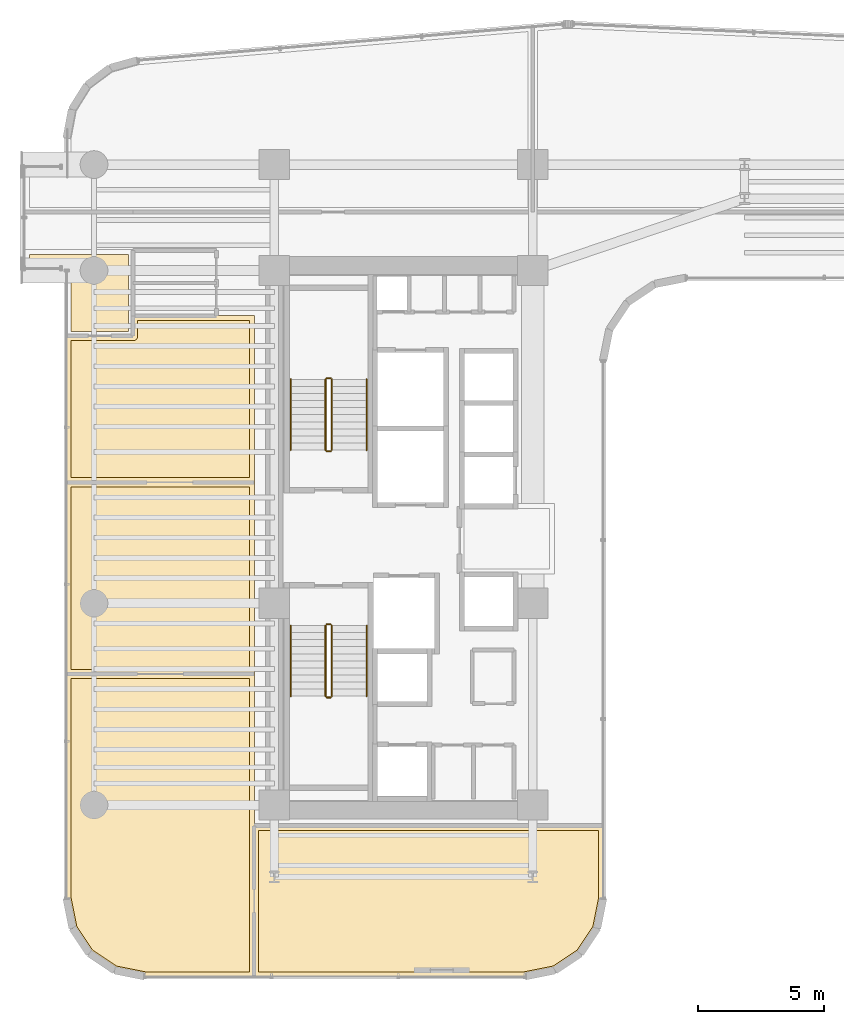
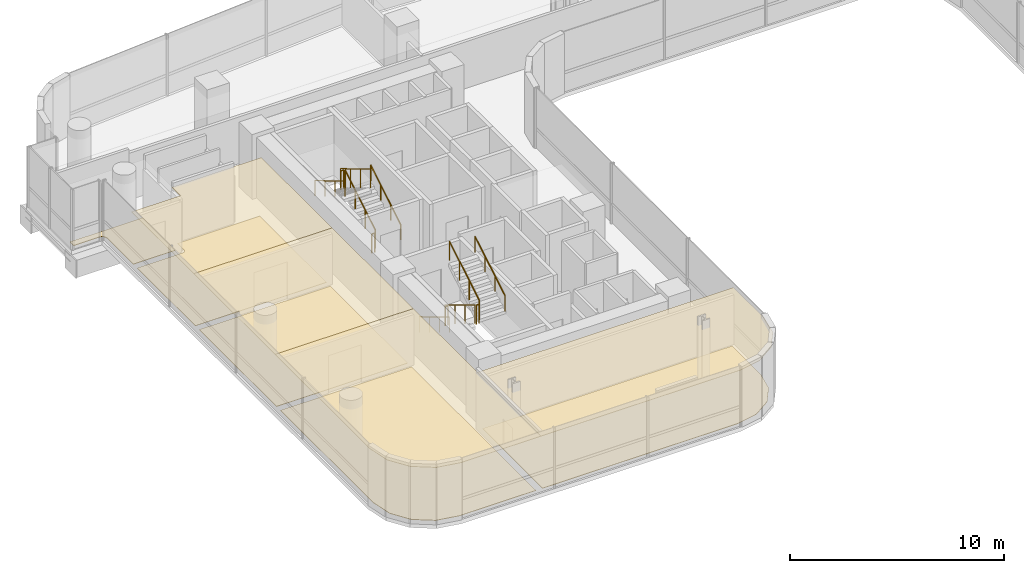
# One storey, part 32 of 35: 12 railings, 9 coverings.
"""IFC4 building model written with IfcOpenShell, lengths in metres."""

from ifc_helpers import new_model, si_unit, direction, frame, origin, origin_2d, place, context, subcontext, project, spatial, polyline, circle, outline, extrude, material, layer, layer_set, type_object, element, save


model = new_model("IFC4")

# Units and contexts
model_context = context("Model", 3, precision=1e-05, world=origin(), true_north=direction((0.0, 1.0)))
body_context = subcontext(model_context, "Body", "Model", "MODEL_VIEW")
ifc_project = project(units=[si_unit("LENGTHUNIT", "METRE"), si_unit("AREAUNIT", "SQUARE_METRE"), si_unit("VOLUMEUNIT", "CUBIC_METRE"), si_unit("PLANEANGLEUNIT", "RADIAN"), si_unit("MASSUNIT", "GRAM", prefix="KILO")], contexts=[model_context])

# Site, building, storey
site_placement = place(None, origin())
site = spatial("IfcSite", under=ifc_project, at=site_placement, CompositionType="ELEMENT")
building_placement = place(site_placement, origin())
building = spatial("IfcBuilding", under=site, at=building_placement, Name="Valdorenza Pilgrim Sanctuary Tower", CompositionType="ELEMENT")
storey_placement = place(building_placement, frame((0.0, 0.0, 124.199951171875)))
storey = spatial("IfcBuildingStorey", under=building, at=storey_placement, Name="L31", CompositionType="ELEMENT", Elevation=124.199951171875)

# Coverings
ifc_material_1 = material(Name="Micro-perforated acoustic mineral ceiling tile", Category="gypsum")
ifc_layer_1 = layer(ifc_material_1, 0.02490234375, Name="Micro-perforated acoustic mineral ceiling tile")
ifc_layer_set_1 = layer_set([ifc_layer_1], Name="Micro-perforated acoustic mineral ceiling tile")
covering_type_1 = type_object("IfcCoveringType", Name="COV-CLG-ACU", PredefinedType="CEILING", material=ifc_layer_set_1)
covering_1_placement = place(storey_placement, frame((0.0, 0.0, 3.16015625)))
element("IfcCovering", 1, at=covering_1_placement, inside=storey, type_object=covering_type_1, Name="L31 Sacred Archive Reading Library L31-S1 Acoustic Ceiling", PredefinedType="CEILING", context=body_context, shape_type="SweptSolid", body=[
    extrude(outline(polyline([(-23.43505859375, -17.389892578125), (-23.43505859375, -17.3916015625), (-23.435302734375, -17.392822265625), (-23.435546875, -17.394287109375), (-23.43603515625, -17.395751953125), (-23.436767578125, -17.397216796875), (-23.4375, -17.398193359375), (-23.4384765625, -17.3994140625), (-23.439453125, -17.400634765625), (-23.4404296875, -17.401611328125), (-23.441650390625, -17.402587890625), (-23.44287109375, -17.4033203125), (-23.4443359375, -17.40380859375), (-23.445556640625, -17.404296875), (-23.447021484375, -17.40478515625), (-23.448486328125, -17.40478515625), (-23.449951171875, -17.405029296875), (-27.789306640625, -17.405029296875), (-27.79052734375, -17.40478515625), (-27.7919921875, -17.40478515625), (-28.984619140625, -17.16748046875), (-28.986083984375, -17.1669921875), (-28.9873046875, -17.16650390625), (-28.98876953125, -17.166015625), (-28.989990234375, -17.165283203125), (-29.99169921875, -16.495849609375), (-29.992919921875, -16.4951171875), (-29.993896484375, -16.493896484375), (-29.9951171875, -16.492919921875), (-29.995849609375, -16.49169921875), (-30.665283203125, -15.489990234375), (-30.666015625, -15.48876953125), (-30.66650390625, -15.4873046875), (-30.6669921875, -15.486083984375), (-30.66748046875, -15.484619140625), (-30.90478515625, -14.2919921875), (-30.90478515625, -14.29052734375), (-30.905029296875, -14.289306640625), (-30.905029296875, -5.39990234375), (-30.90478515625, -5.3984375), (-30.90478515625, -5.397216796875), (-30.904296875, -5.3955078125), (-30.90380859375, -5.394287109375), (-30.9033203125, -5.392822265625), (-30.902587890625, -5.3916015625), (-30.901611328125, -5.390380859375), (-30.900634765625, -5.389404296875), (-30.8994140625, -5.388427734375), (-30.898193359375, -5.387451171875), (-30.897216796875, -5.38671875), (-30.895751953125, -5.385986328125), (-30.894287109375, -5.385498046875), (-30.892822265625, -5.38525390625), (-30.8916015625, -5.385009765625), (-30.889892578125, -5.385009765625), (-23.449951171875, -5.385009765625), (-23.448486328125, -5.385009765625), (-23.447021484375, -5.38525390625), (-23.445556640625, -5.385498046875), (-23.4443359375, -5.385986328125), (-23.44287109375, -5.38671875), (-23.441650390625, -5.387451171875), (-23.4404296875, -5.388427734375), (-23.439453125, -5.389404296875), (-23.4384765625, -5.390380859375), (-23.4375, -5.3916015625), (-23.436767578125, -5.392822265625), (-23.43603515625, -5.394287109375), (-23.435546875, -5.3955078125), (-23.435302734375, -5.397216796875), (-23.43505859375, -5.3984375), (-23.43505859375, -5.39990234375), (-23.43505859375, -17.389892578125)])), origin(), (0.0, 0.0, 1.0), 0.02490234375),
])
covering_2_placement = place(storey_placement, frame((0.0, 0.0, 3.16015625)))
element("IfcCovering", 2, at=covering_2_placement, inside=storey, type_object=covering_type_1, Name="L31 Sanctuary Tea Lounge L31 Acoustic Ceiling", PredefinedType="CEILING", context=body_context, shape_type="SweptSolid", body=[
    extrude(outline(polyline([(-23.43505859375, -5.39794921875), (-23.43505859375, -5.3994140625), (-23.435302734375, -5.40087890625), (-23.435546875, -5.40234375), (-23.43603515625, -5.40380859375), (-23.436767578125, -5.405029296875), (-23.4375, -5.40625), (-23.4384765625, -5.407470703125), (-23.439453125, -5.40869140625), (-23.4404296875, -5.40966796875), (-23.441650390625, -5.410400390625), (-23.44287109375, -5.4111328125), (-23.4443359375, -5.411865234375), (-23.445556640625, -5.412353515625), (-23.447021484375, -5.41259765625), (-23.448486328125, -5.412841796875), (-23.449951171875, -5.4130859375), (-30.889892578125, -5.4130859375), (-30.8916015625, -5.412841796875), (-30.892822265625, -5.41259765625), (-30.894287109375, -5.412353515625), (-30.895751953125, -5.411865234375), (-30.897216796875, -5.4111328125), (-30.898193359375, -5.410400390625), (-30.8994140625, -5.40966796875), (-30.900634765625, -5.40869140625), (-30.901611328125, -5.407470703125), (-30.902587890625, -5.40625), (-30.9033203125, -5.405029296875), (-30.90380859375, -5.40380859375), (-30.904296875, -5.40234375), (-30.90478515625, -5.40087890625), (-30.90478515625, -5.3994140625), (-30.905029296875, -5.39794921875), (-30.905029296875, 2.199951171875), (-30.90478515625, 2.201416015625), (-30.90478515625, 2.202880859375), (-30.904296875, 2.204345703125), (-30.90380859375, 2.205810546875), (-30.9033203125, 2.20703125), (-30.902587890625, 2.208251953125), (-30.901611328125, 2.20947265625), (-30.900634765625, 2.210693359375), (-30.8994140625, 2.211669921875), (-30.898193359375, 2.21240234375), (-30.897216796875, 2.213134765625), (-30.895751953125, 2.2138671875), (-30.894287109375, 2.21435546875), (-30.892822265625, 2.214599609375), (-30.8916015625, 2.21484375), (-30.889892578125, 2.215087890625), (-23.449951171875, 2.215087890625), (-23.448486328125, 2.21484375), (-23.447021484375, 2.214599609375), (-23.445556640625, 2.21435546875), (-23.4443359375, 2.2138671875), (-23.44287109375, 2.213134765625), (-23.441650390625, 2.21240234375), (-23.4404296875, 2.211669921875), (-23.439453125, 2.210693359375), (-23.4384765625, 2.20947265625), (-23.4375, 2.208251953125), (-23.436767578125, 2.20703125), (-23.43603515625, 2.205810546875), (-23.435546875, 2.204345703125), (-23.435302734375, 2.202880859375), (-23.43505859375, 2.201416015625), (-23.43505859375, 2.199951171875), (-23.43505859375, -5.39794921875)])), origin(), (0.0, 0.0, 1.0), 0.02490234375),
])
covering_3_placement = place(storey_placement, frame((0.0, 0.0, 3.16015625)))
element("IfcCovering", 3, at=covering_3_placement, inside=storey, type_object=covering_type_1, Name="L31 Contemplative Movement Studio L31 Acoustic Ceiling", PredefinedType="CEILING", context=body_context, shape_type="SweptSolid", body=[
    extrude(outline(polyline([(-28.262939453125, 8.012939453125), (-28.262939453125, 8.798095703125), (-28.262939453125, 8.799560546875), (-28.2626953125, 8.80078125), (-28.262451171875, 8.802490234375), (-28.261962890625, 8.8037109375), (-28.26123046875, 8.80517578125), (-28.260498046875, 8.806396484375), (-28.259521484375, 8.8076171875), (-28.258544921875, 8.80859375), (-28.257568359375, 8.8095703125), (-28.25634765625, 8.810546875), (-28.255126953125, 8.811279296875), (-28.253662109375, 8.81201171875), (-28.25244140625, 8.8125), (-28.2509765625, 8.812744140625), (-28.24951171875, 8.81298828125), (-28.248046875, 8.81298828125), (-24.955322265625, 8.81298828125), (-24.954833984375, 8.813232421875), (-24.95361328125, 8.81396484375), (-24.9521484375, 8.814453125), (-24.95068359375, 8.814697265625), (-24.949462890625, 8.81494140625), (-24.947998046875, 8.81494140625), (-23.449951171875, 8.81494140625), (-23.448486328125, 8.81494140625), (-23.447021484375, 8.814697265625), (-23.445556640625, 8.814453125), (-23.4443359375, 8.81396484375), (-23.44287109375, 8.813232421875), (-23.441650390625, 8.8125), (-23.4404296875, 8.8115234375), (-23.439453125, 8.810546875), (-23.4384765625, 8.8095703125), (-23.4375, 8.808349609375), (-23.436767578125, 8.80712890625), (-23.43603515625, 8.8056640625), (-23.435546875, 8.804443359375), (-23.435302734375, 8.802978515625), (-23.43505859375, 8.801513671875), (-23.43505859375, 8.800048828125), (-23.43505859375, 2.201904296875), (-23.43505859375, 2.200439453125), (-23.435302734375, 2.19921875), (-23.435546875, 2.197509765625), (-23.43603515625, 2.1962890625), (-23.436767578125, 2.19482421875), (-23.4375, 2.193603515625), (-23.4384765625, 2.1923828125), (-23.439453125, 2.19140625), (-23.4404296875, 2.1904296875), (-23.441650390625, 2.189453125), (-23.44287109375, 2.188720703125), (-23.4443359375, 2.18798828125), (-23.445556640625, 2.1875), (-23.447021484375, 2.187255859375), (-23.448486328125, 2.18701171875), (-23.449951171875, 2.18701171875), (-30.889892578125, 2.18701171875), (-30.8916015625, 2.18701171875), (-30.892822265625, 2.187255859375), (-30.894287109375, 2.1875), (-30.895751953125, 2.18798828125), (-30.897216796875, 2.188720703125), (-30.898193359375, 2.189453125), (-30.8994140625, 2.1904296875), (-30.900634765625, 2.19140625), (-30.901611328125, 2.1923828125), (-30.902587890625, 2.193603515625), (-30.9033203125, 2.19482421875), (-30.90380859375, 2.1962890625), (-30.904296875, 2.197509765625), (-30.90478515625, 2.19921875), (-30.90478515625, 2.200439453125), (-30.905029296875, 2.201904296875), (-30.905029296875, 7.998046875), (-30.90478515625, 7.99951171875), (-30.90478515625, 8.0009765625), (-30.904296875, 8.00244140625), (-30.90380859375, 8.003662109375), (-30.9033203125, 8.005126953125), (-30.902587890625, 8.00634765625), (-30.901611328125, 8.007568359375), (-30.900634765625, 8.008544921875), (-30.8994140625, 8.009521484375), (-30.898193359375, 8.010498046875), (-30.897216796875, 8.01123046875), (-30.895751953125, 8.011962890625), (-30.894287109375, 8.012451171875), (-30.892822265625, 8.0126953125), (-30.8916015625, 8.012939453125), (-30.889892578125, 8.012939453125), (-28.262939453125, 8.012939453125)])), origin(), (0.0, 0.0, 1.0), 0.02490234375),
])
covering_4_placement = place(storey_placement, frame((0.0, 0.0, 3.16015625)))
element("IfcCovering", 4, at=covering_4_placement, inside=storey, type_object=covering_type_1, Name="L31 Sacred Archive Reading Library L31-S Acoustic Ceiling", PredefinedType="CEILING", context=body_context, shape_type="SweptSolid", body=[
    extrude(outline(polyline([(-9.610107421875, -11.405029296875), (-9.6083984375, -11.405029296875), (-9.607177734375, -11.4052734375), (-9.605712890625, -11.405517578125), (-9.604248046875, -11.406005859375), (-9.602783203125, -11.40673828125), (-9.601806640625, -11.407470703125), (-9.6005859375, -11.408447265625), (-9.599365234375, -11.409423828125), (-9.598388671875, -11.410400390625), (-9.597412109375, -11.41162109375), (-9.5966796875, -11.412841796875), (-9.59619140625, -11.414306640625), (-9.595703125, -11.41552734375), (-9.59521484375, -11.4169921875), (-9.59521484375, -11.41845703125), (-9.594970703125, -11.419921875), (-9.594970703125, -14.289306640625), (-9.59521484375, -14.29052734375), (-9.59521484375, -14.2919921875), (-9.83251953125, -15.484619140625), (-9.8330078125, -15.486083984375), (-9.83349609375, -15.4873046875), (-9.833984375, -15.48876953125), (-9.834716796875, -15.489990234375), (-10.504150390625, -16.49169921875), (-10.5048828125, -16.492919921875), (-10.506103515625, -16.493896484375), (-10.507080078125, -16.4951171875), (-10.50830078125, -16.495849609375), (-11.510009765625, -17.165283203125), (-11.51123046875, -17.166015625), (-11.5126953125, -17.16650390625), (-11.513916015625, -17.1669921875), (-11.515380859375, -17.16748046875), (-12.7080078125, -17.40478515625), (-12.70947265625, -17.40478515625), (-12.710693359375, -17.405029296875), (-23.447998046875, -17.405029296875), (-23.449462890625, -17.40478515625), (-23.450927734375, -17.40478515625), (-23.452392578125, -17.404296875), (-23.45361328125, -17.40380859375), (-23.455078125, -17.4033203125), (-23.456298828125, -17.402587890625), (-23.45751953125, -17.401611328125), (-23.45849609375, -17.400634765625), (-23.459716796875, -17.3994140625), (-23.46044921875, -17.398193359375), (-23.461181640625, -17.397216796875), (-23.4619140625, -17.395751953125), (-23.46240234375, -17.394287109375), (-23.462646484375, -17.392822265625), (-23.462890625, -17.3916015625), (-23.462890625, -17.389892578125), (-23.462890625, -11.419921875), (-23.462890625, -11.41845703125), (-23.462646484375, -11.4169921875), (-23.46240234375, -11.41552734375), (-23.4619140625, -11.414306640625), (-23.461181640625, -11.412841796875), (-23.46044921875, -11.41162109375), (-23.459716796875, -11.410400390625), (-23.45849609375, -11.409423828125), (-23.45751953125, -11.408447265625), (-23.456298828125, -11.407470703125), (-23.455078125, -11.40673828125), (-23.45361328125, -11.406005859375), (-23.452392578125, -11.405517578125), (-23.450927734375, -11.4052734375), (-23.449462890625, -11.405029296875), (-23.447998046875, -11.405029296875), (-9.610107421875, -11.405029296875)])), origin(), (0.0, 0.0, 1.0), 0.02490234375),
])
ifc_material_2 = material(Name="Honed travertine stone flooring", Category="masonry")
ifc_layer_2 = layer(ifc_material_2, 0.030029296875, Name="Honed travertine stone flooring")
ifc_layer_set_2 = layer_set([ifc_layer_2], Name="Honed travertine stone flooring")
covering_type_2 = type_object("IfcCoveringType", Name="COV-FLR-TRV", PredefinedType="FLOORING", material=ifc_layer_set_2)
covering_5_placement = place(storey_placement, origin())
element("IfcCovering", 5, at=covering_5_placement, inside=storey, type_object=covering_type_2, Name="L31 Sacred Archive Reading Library L31-S1 Flooring", PredefinedType="FLOORING", context=body_context, shape_type="SweptSolid", body=[
    extrude(outline(polyline([(-23.6298828125, -17.2099609375), (-27.771484375, -17.2099609375), (-28.911376953125, -16.983154296875), (-29.853515625, -16.353515625), (-30.483154296875, -15.411376953125), (-30.7099609375, -14.271484375), (-30.7099609375, -5.580078125), (-23.6298828125, -5.580078125), (-23.6298828125, -17.2099609375)])), origin(), (0.0, 0.0, 1.0), 0.025146484375),
])
covering_6_placement = place(storey_placement, origin())
element("IfcCovering", 6, at=covering_6_placement, inside=storey, type_object=covering_type_2, Name="L31 North Contemplation Lounge L31 Flooring", PredefinedType="FLOORING", context=body_context, shape_type="SweptSolid", body=[
    extrude(outline(polyline([(-28.431884765625, 11.239990234375), (-28.431884765625, 10.10205078125), (-28.431884765625, 10.10107421875), (-28.431884765625, 10.100341796875), (-28.431884765625, 10.10009765625), (-28.431884765625, 8.800048828125), (-28.431884765625, 8.799560546875), (-28.430419921875, 8.179931640625), (-30.7099609375, 8.179931640625), (-30.7099609375, 10.60009765625), (-30.710205078125, 10.60888671875), (-30.710693359375, 10.61962890625), (-30.71240234375, 10.63720703125), (-30.714111328125, 10.64794921875), (-30.717529296875, 10.665283203125), (-30.72021484375, 10.67578125), (-30.725341796875, 10.692626953125), (-30.72900390625, 10.70263671875), (-30.735595703125, 10.718994140625), (-30.740234375, 10.728759765625), (-30.74853515625, 10.744384765625), (-30.754150390625, 10.753662109375), (-30.763916015625, 10.768310546875), (-30.7705078125, 10.777099609375), (-30.781494140625, 10.790771484375), (-30.788818359375, 10.798583984375), (-30.80126953125, 10.811279296875), (-30.809326171875, 10.818359375), (-30.822998046875, 10.82958984375), (-30.831787109375, 10.8359375), (-30.84619140625, 10.845947265625), (-30.855712890625, 10.851318359375), (-30.87109375, 10.859619140625), (-30.880859375, 10.8642578125), (-30.897216796875, 10.87109375), (-30.907470703125, 10.874755859375), (-30.92431640625, 10.8798828125), (-30.934814453125, 10.882568359375), (-30.9521484375, 10.885986328125), (-30.962890625, 10.887451171875), (-30.98046875, 10.889404296875), (-30.9912109375, 10.889892578125), (-31.0, 10.889892578125), (-32.360107421875, 10.889892578125), (-32.360107421875, 11.239990234375), (-28.431884765625, 11.239990234375)])), origin(), (0.0, 0.0, 1.0), 0.025146484375),
])
covering_7_placement = place(storey_placement, origin())
element("IfcCovering", 7, at=covering_7_placement, inside=storey, type_object=covering_type_2, Name="L31 Sanctuary Tea Lounge L31 Flooring", PredefinedType="FLOORING", context=body_context, shape_type="SweptSolid", body=[
    extrude(outline(polyline([(-23.6298828125, -5.218017578125), (-30.7099609375, -5.218017578125), (-30.7099609375, 2.02001953125), (-23.6298828125, 2.02001953125), (-23.6298828125, -5.218017578125)])), origin(), (0.0, 0.0, 1.0), 0.025146484375),
])
covering_8_placement = place(storey_placement, origin())
element("IfcCovering", 8, at=covering_8_placement, inside=storey, type_object=covering_type_2, Name="L31 Contemplative Movement Studio L31 Flooring", PredefinedType="FLOORING", context=body_context, shape_type="SweptSolid", body=[
    extrude(outline(polyline([(-23.6298828125, 8.619873046875), (-23.6298828125, 2.382080078125), (-30.7099609375, 2.382080078125), (-30.7099609375, 7.818115234375), (-28.25, 7.818115234375), (-28.2412109375, 7.818115234375), (-28.240966796875, 7.818115234375), (-28.223388671875, 7.820068359375), (-28.22314453125, 7.820068359375), (-28.205810546875, 7.823486328125), (-28.205810546875, 7.823486328125), (-28.188720703125, 7.82861328125), (-28.188720703125, 7.82861328125), (-28.17236328125, 7.83544921875), (-28.172119140625, 7.83544921875), (-28.156494140625, 7.84375), (-28.156494140625, 7.843994140625), (-28.1416015625, 7.853759765625), (-28.1416015625, 7.85400390625), (-28.1279296875, 7.864990234375), (-28.127685546875, 7.865234375), (-28.115234375, 7.877685546875), (-28.114990234375, 7.8779296875), (-28.10400390625, 7.8916015625), (-28.103759765625, 7.8916015625), (-28.093994140625, 7.906494140625), (-28.09375, 7.906494140625), (-28.08544921875, 7.922119140625), (-28.08544921875, 7.92236328125), (-28.07861328125, 7.938720703125), (-28.07861328125, 7.938720703125), (-28.073486328125, 7.955810546875), (-28.073486328125, 7.955810546875), (-28.070068359375, 7.97314453125), (-28.070068359375, 7.973388671875), (-28.068115234375, 7.990966796875), (-28.068115234375, 7.9912109375), (-28.068115234375, 8.0), (-28.068115234375, 8.617919921875), (-24.949951171875, 8.617919921875), (-24.94970703125, 8.617919921875), (-23.6298828125, 8.619873046875)])), origin(), (0.0, 0.0, 1.0), 0.025146484375),
])
covering_9_placement = place(storey_placement, origin())
element("IfcCovering", 9, at=covering_9_placement, inside=storey, type_object=covering_type_2, Name="L31 Sacred Archive Reading Library L31-S Flooring", PredefinedType="FLOORING", context=body_context, shape_type="SweptSolid", body=[
    extrude(outline(polyline([(-9.7900390625, -11.60009765625), (-9.7900390625, -14.271484375), (-10.016845703125, -15.411376953125), (-10.646484375, -16.353515625), (-11.588623046875, -16.983154296875), (-12.728515625, -17.2099609375), (-23.26806640625, -17.2099609375), (-23.26806640625, -11.60009765625), (-9.7900390625, -11.60009765625)])), origin(), (0.0, 0.0, 1.0), 0.025146484375),
])

# Railings
ifc_material_3 = material(Name="Stainless steel Grade 316", Category="steel")
railing_type_1 = type_object("IfcRailingType", Name="RLG-GRD-1120", PredefinedType="GUARDRAIL", material=ifc_material_3)
railing_1_placement = place(storey_placement, frame((-20.3701171875, 3.47998046875, 0.168212890625)))
element("IfcRailing", 10, at=railing_1_placement, inside=storey, type_object=railing_type_1, Name="L31 ST-A1 stair guard 1", PredefinedType="GUARDRAIL", context=body_context, shape_type="SweptSolid", body=[
    extrude(circle(Radius=0.02392578125, at=origin_2d()), frame((0.0, 0.0, 1.076171875), z_axis=(0.0, 0.857242210791, 0.514913383045), x_axis=(-1.0, 0.0, 0.0)), (0.0, 0.0, 1.0), 3.266357421875),
    extrude(circle(Radius=0.02099609375, at=origin_2d()), origin(), (0.0, 0.0, 1.0), 1.052001953125),
    extrude(circle(Radius=0.02099609375, at=origin_2d()), frame((0.0, 0.933349609375, 0.560546875)), (0.0, 0.0, 1.0), 1.052001953125),
    extrude(circle(Radius=0.02099609375, at=origin_2d()), frame((0.0, 1.86669921875, 1.121337890625)), (0.0, 0.0, 1.0), 1.052001953125),
    extrude(circle(Radius=0.02099609375, at=origin_2d()), frame((0.0, 2.800048828125, 1.681884765625)), (0.0, 0.0, 1.0), 1.052001953125),
])
railing_2_placement = place(storey_placement, frame((-20.419921875, 6.330078125, 1.85009765625)))
element("IfcRailing", 11, at=railing_2_placement, inside=storey, type_object=railing_type_1, Name="L31 ST-A1 stair guard 2", PredefinedType="GUARDRAIL", context=body_context, shape_type="SweptSolid", body=[
    extrude(circle(Radius=0.02392578125, at=origin_2d()), frame((0.0, 0.0, 1.076171875), z_axis=(-1.0, 0.0, 0.0), x_axis=(0.0, -1.0, 0.0)), (0.0, 0.0, 1.0), 0.150146484375),
    extrude(circle(Radius=0.02099609375, at=origin_2d()), origin(), (0.0, 0.0, 1.0), 1.052001953125),
    extrude(circle(Radius=0.02099609375, at=origin_2d()), frame((-0.150146484375, 0.0, 0.0)), (0.0, 0.0, 1.0), 1.052001953125),
])
railing_3_placement = place(storey_placement, frame((-20.6201171875, 6.280029296875, 2.018310546875)))
element("IfcRailing", 12, at=railing_3_placement, inside=storey, type_object=railing_type_1, Name="L31 ST-A1 stair guard 3", PredefinedType="GUARDRAIL", context=body_context, shape_type="SweptSolid", body=[
    extrude(circle(Radius=0.02392578125, at=origin_2d()), frame((0.0, 0.0, 1.076171875), z_axis=(0.0, -0.857275202839, 0.514858452973), x_axis=(1.0, 0.0, 0.0)), (0.0, 0.0, 1.0), 3.26611328125),
    extrude(circle(Radius=0.02099609375, at=origin_2d()), origin(), (0.0, 0.0, 1.0), 1.052001953125),
    extrude(circle(Radius=0.02099609375, at=origin_2d()), frame((0.0, -0.933349609375, 0.560546875)), (0.0, 0.0, 1.0), 1.052001953125),
    extrude(circle(Radius=0.02099609375, at=origin_2d()), frame((0.0, -1.86669921875, 1.12109375)), (0.0, 0.0, 1.0), 1.052001953125),
    extrude(circle(Radius=0.02099609375, at=origin_2d()), frame((0.0, -2.800048828125, 1.681640625)), (0.0, 0.0, 1.0), 1.052001953125),
])
railing_4_placement = place(storey_placement, frame((-20.419921875, 3.429931640625, 0.0)))
element("IfcRailing", 13, at=railing_4_placement, inside=storey, type_object=railing_type_1, Name="L31 ST-A1 stair guard 4", PredefinedType="GUARDRAIL", context=body_context, shape_type="SweptSolid", body=[
    extrude(circle(Radius=0.02392578125, at=origin_2d()), frame((0.0, 0.0, 1.076171875), z_axis=(-1.0, 0.0, 0.0), x_axis=(0.0, -1.0, 0.0)), (0.0, 0.0, 1.0), 0.150146484375),
    extrude(circle(Radius=0.02099609375, at=origin_2d()), origin(), (0.0, 0.0, 1.0), 1.052001953125),
    extrude(circle(Radius=0.02099609375, at=origin_2d()), frame((-0.150146484375, 0.0, 0.0)), (0.0, 0.0, 1.0), 1.052001953125),
])
railing_5_placement = place(storey_placement, frame((-20.6201171875, -3.47998046875, 0.168212890625)))
element("IfcRailing", 14, at=railing_5_placement, inside=storey, type_object=railing_type_1, Name="L31 ST-A2 stair guard 1", PredefinedType="GUARDRAIL", context=body_context, shape_type="SweptSolid", body=[
    extrude(circle(Radius=0.02392578125, at=origin_2d()), frame((0.0, 0.0, 1.076171875), z_axis=(0.0, -0.857242210791, 0.514913383045), x_axis=(1.0, 0.0, 0.0)), (0.0, 0.0, 1.0), 3.266357421875),
    extrude(circle(Radius=0.02099609375, at=origin_2d()), origin(), (0.0, 0.0, 1.0), 1.052001953125),
    extrude(circle(Radius=0.02099609375, at=origin_2d()), frame((0.0, -0.933349609375, 0.560546875)), (0.0, 0.0, 1.0), 1.052001953125),
    extrude(circle(Radius=0.02099609375, at=origin_2d()), frame((0.0, -1.86669921875, 1.121337890625)), (0.0, 0.0, 1.0), 1.052001953125),
    extrude(circle(Radius=0.02099609375, at=origin_2d()), frame((0.0, -2.800048828125, 1.681884765625)), (0.0, 0.0, 1.0), 1.052001953125),
])
railing_6_placement = place(storey_placement, frame((-20.570068359375, -6.330078125, 1.85009765625)))
element("IfcRailing", 15, at=railing_6_placement, inside=storey, type_object=railing_type_1, Name="L31 ST-A2 stair guard 2", PredefinedType="GUARDRAIL", context=body_context, shape_type="SweptSolid", body=[
    extrude(circle(Radius=0.02392578125, at=origin_2d()), frame((0.0, 0.0, 1.076171875), z_axis=(1.0, 0.0, 0.0), x_axis=(0.0, 1.0, 0.0)), (0.0, 0.0, 1.0), 0.150146484375),
    extrude(circle(Radius=0.02099609375, at=origin_2d()), origin(), (0.0, 0.0, 1.0), 1.052001953125),
    extrude(circle(Radius=0.02099609375, at=origin_2d()), frame((0.150146484375, 0.0, 0.0)), (0.0, 0.0, 1.0), 1.052001953125),
])
railing_7_placement = place(storey_placement, frame((-20.3701171875, -6.280029296875, 2.018310546875)))
element("IfcRailing", 16, at=railing_7_placement, inside=storey, type_object=railing_type_1, Name="L31 ST-A2 stair guard 3", PredefinedType="GUARDRAIL", context=body_context, shape_type="SweptSolid", body=[
    extrude(circle(Radius=0.02392578125, at=origin_2d()), frame((0.0, 0.0, 1.076171875), z_axis=(0.0, 0.857275202839, 0.514858452973), x_axis=(-1.0, 0.0, 0.0)), (0.0, 0.0, 1.0), 3.26611328125),
    extrude(circle(Radius=0.02099609375, at=origin_2d()), origin(), (0.0, 0.0, 1.0), 1.052001953125),
    extrude(circle(Radius=0.02099609375, at=origin_2d()), frame((0.0, 0.933349609375, 0.560546875)), (0.0, 0.0, 1.0), 1.052001953125),
    extrude(circle(Radius=0.02099609375, at=origin_2d()), frame((0.0, 1.86669921875, 1.12109375)), (0.0, 0.0, 1.0), 1.052001953125),
    extrude(circle(Radius=0.02099609375, at=origin_2d()), frame((0.0, 2.800048828125, 1.681640625)), (0.0, 0.0, 1.0), 1.052001953125),
])
railing_8_placement = place(storey_placement, frame((-20.570068359375, -3.429931640625, 0.0)))
element("IfcRailing", 17, at=railing_8_placement, inside=storey, type_object=railing_type_1, Name="L31 ST-A2 stair guard 4", PredefinedType="GUARDRAIL", context=body_context, shape_type="SweptSolid", body=[
    extrude(circle(Radius=0.02392578125, at=origin_2d()), frame((0.0, 0.0, 1.076171875), z_axis=(1.0, 0.0, 0.0), x_axis=(0.0, 1.0, 0.0)), (0.0, 0.0, 1.0), 0.150146484375),
    extrude(circle(Radius=0.02099609375, at=origin_2d()), origin(), (0.0, 0.0, 1.0), 1.052001953125),
    extrude(circle(Radius=0.02099609375, at=origin_2d()), frame((0.150146484375, 0.0, 0.0)), (0.0, 0.0, 1.0), 1.052001953125),
])
ifc_material_4 = material(Name="Brushed stainless steel Grade 316", Category="steel")
railing_type_2 = type_object("IfcRailingType", Name="RLG-HND-920", PredefinedType="HANDRAIL", material=ifc_material_4)
railing_9_placement = place(storey_placement, frame((-18.989990234375, 3.47998046875, 0.168212890625)))
element("IfcRailing", 18, at=railing_9_placement, inside=storey, type_object=railing_type_2, Name="L31 ST-A1 stair handrail 1", PredefinedType="HANDRAIL", context=body_context, shape_type="SweptSolid", body=[
    extrude(circle(Radius=0.02392578125, at=origin_2d()), frame((0.0, 0.0, 0.8759765625), z_axis=(0.0, 0.857242210791, 0.514913383045), x_axis=(-1.0, 0.0, 0.0)), (0.0, 0.0, 1.0), 3.266357421875),
    extrude(circle(Radius=0.02099609375, at=origin_2d()), origin(), (0.0, 0.0, 1.0), 0.851806640625),
    extrude(circle(Radius=0.02099609375, at=origin_2d()), frame((0.0, 0.933349609375, 0.560546875)), (0.0, 0.0, 1.0), 0.851806640625),
    extrude(circle(Radius=0.02099609375, at=origin_2d()), frame((0.0, 1.86669921875, 1.121337890625)), (0.0, 0.0, 1.0), 0.851806640625),
    extrude(circle(Radius=0.02099609375, at=origin_2d()), frame((0.0, 2.800048828125, 1.681884765625)), (0.0, 0.0, 1.0), 0.851806640625),
])
railing_10_placement = place(storey_placement, frame((-22.0, 6.280029296875, 2.018310546875)))
element("IfcRailing", 19, at=railing_10_placement, inside=storey, type_object=railing_type_2, Name="L31 ST-A1 stair handrail 2", PredefinedType="HANDRAIL", context=body_context, shape_type="SweptSolid", body=[
    extrude(circle(Radius=0.02392578125, at=origin_2d()), frame((0.0, 0.0, 0.8759765625), z_axis=(0.0, -0.857275202839, 0.514858452973), x_axis=(1.0, 0.0, 0.0)), (0.0, 0.0, 1.0), 3.26611328125),
    extrude(circle(Radius=0.02099609375, at=origin_2d()), origin(), (0.0, 0.0, 1.0), 0.851806640625),
    extrude(circle(Radius=0.02099609375, at=origin_2d()), frame((0.0, -0.933349609375, 0.560546875)), (0.0, 0.0, 1.0), 0.851806640625),
    extrude(circle(Radius=0.02099609375, at=origin_2d()), frame((0.0, -1.86669921875, 1.12109375)), (0.0, 0.0, 1.0), 0.851806640625),
    extrude(circle(Radius=0.02099609375, at=origin_2d()), frame((0.0, -2.800048828125, 1.681640625)), (0.0, 0.0, 1.0), 0.851806640625),
])
railing_11_placement = place(storey_placement, frame((-22.0, -3.47998046875, 0.168212890625)))
element("IfcRailing", 20, at=railing_11_placement, inside=storey, type_object=railing_type_2, Name="L31 ST-A2 stair handrail 1", PredefinedType="HANDRAIL", context=body_context, shape_type="SweptSolid", body=[
    extrude(circle(Radius=0.02392578125, at=origin_2d()), frame((0.0, 0.0, 0.8759765625), z_axis=(0.0, -0.857242210791, 0.514913383045), x_axis=(1.0, 0.0, 0.0)), (0.0, 0.0, 1.0), 3.266357421875),
    extrude(circle(Radius=0.02099609375, at=origin_2d()), origin(), (0.0, 0.0, 1.0), 0.851806640625),
    extrude(circle(Radius=0.02099609375, at=origin_2d()), frame((0.0, -0.933349609375, 0.560546875)), (0.0, 0.0, 1.0), 0.851806640625),
    extrude(circle(Radius=0.02099609375, at=origin_2d()), frame((0.0, -1.86669921875, 1.121337890625)), (0.0, 0.0, 1.0), 0.851806640625),
    extrude(circle(Radius=0.02099609375, at=origin_2d()), frame((0.0, -2.800048828125, 1.681884765625)), (0.0, 0.0, 1.0), 0.851806640625),
])
railing_12_placement = place(storey_placement, frame((-18.989990234375, -6.280029296875, 2.018310546875)))
element("IfcRailing", 21, at=railing_12_placement, inside=storey, type_object=railing_type_2, Name="L31 ST-A2 stair handrail 2", PredefinedType="HANDRAIL", context=body_context, shape_type="SweptSolid", body=[
    extrude(circle(Radius=0.02392578125, at=origin_2d()), frame((0.0, 0.0, 0.8759765625), z_axis=(0.0, 0.857275202839, 0.514858452973), x_axis=(-1.0, 0.0, 0.0)), (0.0, 0.0, 1.0), 3.26611328125),
    extrude(circle(Radius=0.02099609375, at=origin_2d()), origin(), (0.0, 0.0, 1.0), 0.851806640625),
    extrude(circle(Radius=0.02099609375, at=origin_2d()), frame((0.0, 0.933349609375, 0.560546875)), (0.0, 0.0, 1.0), 0.851806640625),
    extrude(circle(Radius=0.02099609375, at=origin_2d()), frame((0.0, 1.86669921875, 1.12109375)), (0.0, 0.0, 1.0), 0.851806640625),
    extrude(circle(Radius=0.02099609375, at=origin_2d()), frame((0.0, 2.800048828125, 1.681640625)), (0.0, 0.0, 1.0), 0.851806640625),
])

save(model, "model.ifc")
